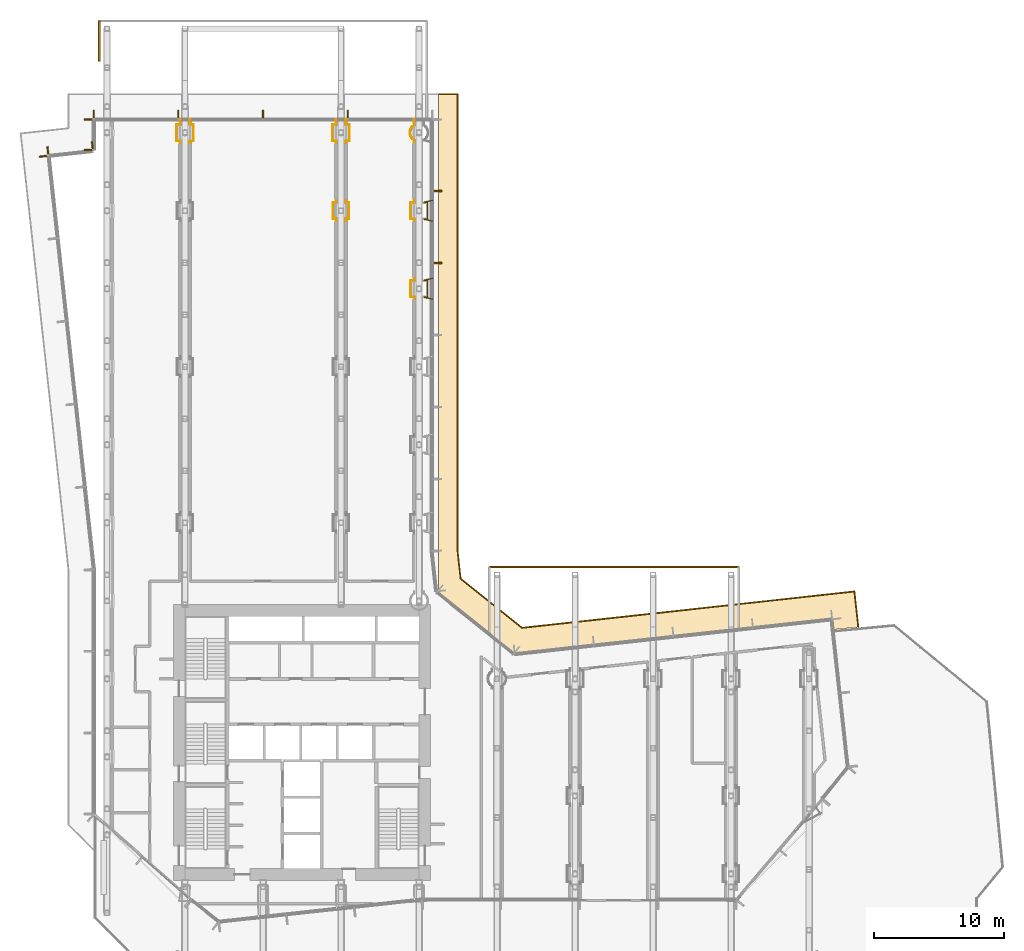
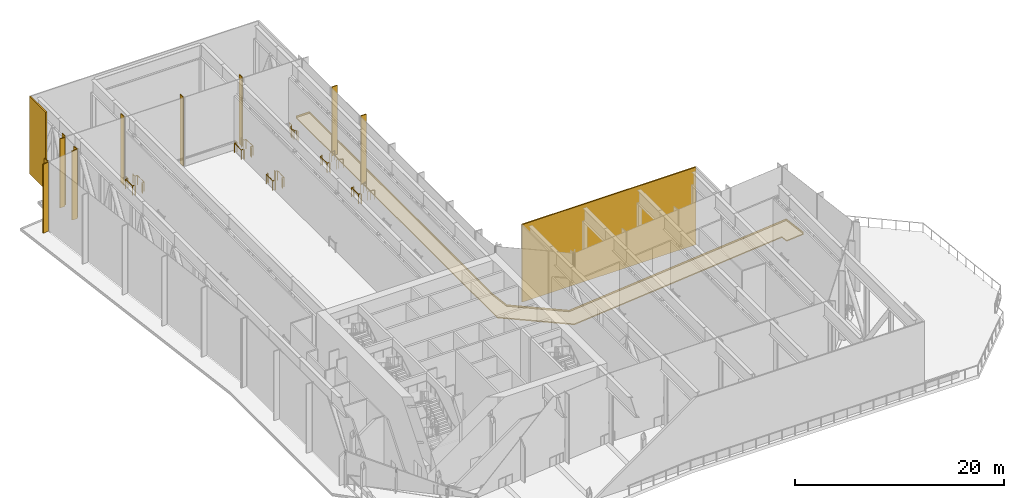
# One storey, part 24 of 25: 15 coverings, 11 railings.
"""IFC4 building model written with IfcOpenShell, lengths in metres."""

from ifc_helpers import new_model, si_unit, direction, frame, origin, origin_2d, place, context, subcontext, project, spatial, polyline, rectangle, circle, outline, extrude, material, layer, layer_set, type_object, element, save


model = new_model("IFC4")

# Units and contexts
model_context = context("Model", 3, precision=1e-05, world=origin(), true_north=direction((0.0, 1.0)))
body_context = subcontext(model_context, "Body", "Model", "MODEL_VIEW")
ifc_project = project(units=[si_unit("LENGTHUNIT", "METRE"), si_unit("AREAUNIT", "SQUARE_METRE"), si_unit("VOLUMEUNIT", "CUBIC_METRE"), si_unit("PLANEANGLEUNIT", "RADIAN"), si_unit("MASSUNIT", "GRAM", prefix="KILO")], contexts=[model_context])

# Site, building, storey
site_placement = place(None, origin())
site = spatial("IfcSite", under=ifc_project, at=site_placement, CompositionType="ELEMENT")
building_placement = place(site_placement, origin())
building = spatial("IfcBuilding", under=site, at=building_placement, Name="Welwitschia Terrace Campus", CompositionType="ELEMENT")
storey_placement = place(building_placement, frame((0.0, 0.0, 79.39990234375)))
storey = spatial("IfcBuildingStorey", under=building, at=storey_placement, Name="L18", CompositionType="ELEMENT", Elevation=79.39990234375)

# Coverings
ifc_material_1 = material(Name="Bronze anodised aluminium", Category="aluminium")
ifc_layer_1 = layer(ifc_material_1, 0.10009765625)
ifc_layer_set_1 = layer_set([ifc_layer_1], Name="Bronze anodised aluminium")
covering_type_1 = type_object("IfcCoveringType", Name="Bronze fin 100x600", PredefinedType="USERDEFINED", material=ifc_layer_set_1)
for number, where, z_axis, x_axis, name in (
    (1, (18.52490234375, 63.429931640625, 0.0), (0.0, 0.0, 1.0), (-1.0, 0.0, 0.0), "Fin L18.0.1"),
    (2, (12.0, 63.429931640625, 0.0), (0.0, 0.0, 1.0), (-1.0, 0.0, 0.0), "Fin L18.0.2"),
    (3, (5.47509765625, 63.429931640625, 0.0), (0.0, 0.0, 1.0), (-1.0, 0.0, 0.0), "Fin L18.0.3"),
    (4, (-1.02001953125, 63.429931640625, 0.0), (0.0, 0.0, 1.0), (-1.0, 0.0, 0.0), "Fin L18.0.4"),
    (5, (-1.429931640625, 63.02001953125, 0.0), (0.0, 0.0, 1.0), (0.0, -1.0, 0.0), "Fin L18.1.0"),
    (6, (-1.429931640625, 60.669677734375, 0.0), (0.0, 0.0, 1.0), (0.0, -1.0, 0.0), "Fin L18.1.1"),
    (7, (-1.12109375, 61.01416015625, 0.0), (0.0, 0.0, 1.0), (-0.994056338222, -0.108866874852, 0.0), "Fin L18.2.0"),
    (8, (-4.551025390625, 60.638671875, 0.0), (0.0, 0.0, 1.0), (-0.994056338222, -0.108866874852, 0.0), "Fin L18.2.1"),
    (9, (-4.913818359375, 60.186279296875, 0.0), (0.0, 0.0, 1.0), (0.108866874852, -0.994056338222, 0.0), "Fin L18.3.0"),
    (10, (25.429931640625, 51.9736328125, 0.0), (0.0, 0.0, 1.0), (0.0, 1.0, 0.0), "Fin L18.15.4"),
    (11, (25.429931640625, 57.51171875, 0.0), (0.0, 0.0, 1.0), (0.0, 1.0, 0.0), "Fin L18.15.5"),
):
    element("IfcCovering", number, at=place(storey_placement, frame(where, z_axis=z_axis, x_axis=x_axis)), inside=storey, type_object=covering_type_1, Name=name, ObjectType="FIN", PredefinedType="USERDEFINED", context=body_context, shape_type="SweptSolid", body=[
        extrude(rectangle(XDim=0.10009765625, YDim=0.60009765625, at=origin_2d()), origin(), (0.0, 0.0, 1.0), 8.050048828125),
    ])

# Railings
ifc_material_2 = material(Name="Stainless steel grade 316", Category="steel")
railing_type = type_object("IfcRailingType", Name="Guard 1100", PredefinedType="GUARDRAIL", material=ifc_material_2)
railing_1_placement = place(storey_placement, frame((23.6201171875, 63.050048828125, 0.0)))
element("IfcRailing", 12, at=railing_1_placement, inside=storey, type_object=railing_type, Name="Guard floor edge L18.20", PredefinedType="GUARDRAIL", context=body_context, shape_type="SweptSolid", body=[
    extrude(circle(Radius=0.02392578125, at=origin_2d()), frame((0.0, 0.0, 1.076171875), z_axis=(0.0, -1.0, 0.0), x_axis=(1.0, 0.0, 0.0)), (0.0, 0.0, 1.0), 0.46826171875),
    extrude(circle(Radius=0.02392578125, at=origin_2d()), frame((0.0, -0.46826171875, 1.076171875), z_axis=(-0.887754531449, -0.460317164455, 0.0), x_axis=(0.460317164455, -0.887754531449, 0.0)), (0.0, 0.0, 1.0), 0.00732421875),
    extrude(circle(Radius=0.02392578125, at=origin_2d()), frame((-0.006591796875, -0.4716796875, 1.076171875), z_axis=(-0.77187853694, -0.635770024625, 0.0), x_axis=(0.635770024625, -0.77187853694, 0.0)), (0.0, 0.0, 1.0), 0.13623046875),
    extrude(circle(Radius=0.02392578125, at=origin_2d()), frame((-0.11181640625, -0.558349609375, 1.076171875), z_axis=(-0.635770024625, -0.77187853694, 0.0), x_axis=(0.77187853694, -0.635770024625, 0.0)), (0.0, 0.0, 1.0), 0.13623046875),
    extrude(circle(Radius=0.02392578125, at=origin_2d()), frame((-0.198486328125, -0.66357421875, 1.076171875), z_axis=(-0.470681121721, -0.882303395469, 0.0), x_axis=(0.882303395469, -0.470681121721, 0.0)), (0.0, 0.0, 1.0), 0.136474609375),
    extrude(circle(Radius=0.02392578125, at=origin_2d()), frame((-0.2626953125, -0.783935546875, 1.076171875), z_axis=(-0.290305798508, -0.956933928415, 0.0), x_axis=(0.956933928415, -0.290305798508, 0.0)), (0.0, 0.0, 1.0), 0.13623046875),
    extrude(circle(Radius=0.02392578125, at=origin_2d()), frame((-0.30224609375, -0.914306640625, 1.076171875), z_axis=(-0.098440399571, -0.995142948391, 0.0), x_axis=(0.995142948391, -0.098440399571, 0.0)), (0.0, 0.0, 1.0), 0.136474609375),
    extrude(circle(Radius=0.02392578125, at=origin_2d()), frame((-0.315673828125, -1.050048828125, 1.076171875), z_axis=(0.098440399571, -0.995142948391, 0.0), x_axis=(0.995142948391, 0.098440399571, 0.0)), (0.0, 0.0, 1.0), 0.136474609375),
    extrude(circle(Radius=0.02392578125, at=origin_2d()), frame((-0.30224609375, -1.185791015625, 1.076171875), z_axis=(0.290305798508, -0.956933928415, 0.0), x_axis=(0.956933928415, 0.290305798508, 0.0)), (0.0, 0.0, 1.0), 0.13623046875),
    extrude(circle(Radius=0.02392578125, at=origin_2d()), frame((-0.2626953125, -1.316162109375, 1.076171875), z_axis=(0.470681121721, -0.882303395469, 0.0), x_axis=(0.882303395469, 0.470681121721, 0.0)), (0.0, 0.0, 1.0), 0.136474609375),
    extrude(circle(Radius=0.02392578125, at=origin_2d()), frame((-0.198486328125, -1.4365234375, 1.076171875), z_axis=(0.635770024625, -0.77187853694, 0.0), x_axis=(0.77187853694, 0.635770024625, 0.0)), (0.0, 0.0, 1.0), 0.13623046875),
    extrude(circle(Radius=0.02392578125, at=origin_2d()), frame((-0.11181640625, -1.541748046875, 1.076171875), z_axis=(0.77187853694, -0.635770024625, 0.0), x_axis=(0.635770024625, 0.77187853694, 0.0)), (0.0, 0.0, 1.0), 0.13623046875),
    extrude(circle(Radius=0.02392578125, at=origin_2d()), frame((-0.006591796875, -1.62841796875, 1.076171875), z_axis=(0.887754531449, -0.460317164455, 0.0), x_axis=(0.460317164455, 0.887754531449, 0.0)), (0.0, 0.0, 1.0), 0.00732421875),
    extrude(circle(Radius=0.02392578125, at=origin_2d()), frame((0.0, -1.6318359375, 1.076171875), z_axis=(0.0, -1.0, 0.0), x_axis=(1.0, 0.0, 0.0)), (0.0, 0.0, 1.0), 0.181396484375),
    extrude(circle(Radius=0.02099609375, at=origin_2d()), origin(), (0.0, 0.0, 1.0), 1.052001953125),
    extrude(circle(Radius=0.02099609375, at=origin_2d()), frame((0.0, -0.46826171875, 0.0)), (0.0, 0.0, 1.0), 1.052001953125),
    extrude(circle(Radius=0.02099609375, at=origin_2d()), frame((-0.006591796875, -0.4716796875, 0.0)), (0.0, 0.0, 1.0), 1.052001953125),
    extrude(circle(Radius=0.02099609375, at=origin_2d()), frame((-0.11181640625, -0.558349609375, 0.0)), (0.0, 0.0, 1.0), 1.052001953125),
    extrude(circle(Radius=0.02099609375, at=origin_2d()), frame((-0.198486328125, -0.66357421875, 0.0)), (0.0, 0.0, 1.0), 1.052001953125),
    extrude(circle(Radius=0.02099609375, at=origin_2d()), frame((-0.2626953125, -0.783935546875, 0.0)), (0.0, 0.0, 1.0), 1.052001953125),
    extrude(circle(Radius=0.02099609375, at=origin_2d()), frame((-0.30224609375, -0.914306640625, 0.0)), (0.0, 0.0, 1.0), 1.052001953125),
    extrude(circle(Radius=0.02099609375, at=origin_2d()), frame((-0.315673828125, -1.050048828125, 0.0)), (0.0, 0.0, 1.0), 1.052001953125),
    extrude(circle(Radius=0.02099609375, at=origin_2d()), frame((-0.30224609375, -1.185791015625, 0.0)), (0.0, 0.0, 1.0), 1.052001953125),
    extrude(circle(Radius=0.02099609375, at=origin_2d()), frame((-0.2626953125, -1.316162109375, 0.0)), (0.0, 0.0, 1.0), 1.052001953125),
    extrude(circle(Radius=0.02099609375, at=origin_2d()), frame((-0.198486328125, -1.4365234375, 0.0)), (0.0, 0.0, 1.0), 1.052001953125),
    extrude(circle(Radius=0.02099609375, at=origin_2d()), frame((-0.11181640625, -1.541748046875, 0.0)), (0.0, 0.0, 1.0), 1.052001953125),
    extrude(circle(Radius=0.02099609375, at=origin_2d()), frame((-0.006591796875, -1.62841796875, 0.0)), (0.0, 0.0, 1.0), 1.052001953125),
    extrude(circle(Radius=0.02099609375, at=origin_2d()), frame((0.0, -1.6318359375, 0.0)), (0.0, 0.0, 1.0), 1.052001953125),
    extrude(circle(Radius=0.02099609375, at=origin_2d()), frame((0.0, -1.813232421875, 0.0)), (0.0, 0.0, 1.0), 1.052001953125),
])
railing_2_placement = place(storey_placement, frame((23.6201171875, 50.804931640625, 0.0)))
element("IfcRailing", 13, at=railing_2_placement, inside=storey, type_object=railing_type, Name="Guard floor edge L18.28", PredefinedType="GUARDRAIL", context=body_context, shape_type="SweptSolid", body=[
    extrude(circle(Radius=0.02392578125, at=origin_2d()), frame((0.0, 0.0, 1.076171875), z_axis=(0.0, -1.0, 0.0), x_axis=(1.0, 0.0, 0.0)), (0.0, 0.0, 1.0), 0.159912109375),
    extrude(circle(Radius=0.02392578125, at=origin_2d()), frame((0.0, -0.159912109375, 1.076171875), z_axis=(-1.0, 0.0, 0.0), x_axis=(0.0, -1.0, 0.0)), (0.0, 0.0, 1.0), 0.26513671875),
    extrude(circle(Radius=0.02392578125, at=origin_2d()), frame((-0.26513671875, -0.159912109375, 1.076171875), z_axis=(0.0, -1.0, 0.0), x_axis=(1.0, 0.0, 0.0)), (0.0, 0.0, 1.0), 1.2900390625),
    extrude(circle(Radius=0.02392578125, at=origin_2d()), frame((-0.26513671875, -1.449951171875, 1.076171875), z_axis=(1.0, 0.0, 0.0), x_axis=(0.0, 1.0, 0.0)), (0.0, 0.0, 1.0), 0.26513671875),
    extrude(circle(Radius=0.02392578125, at=origin_2d()), frame((0.0, -1.449951171875, 1.076171875), z_axis=(0.0, -1.0, 0.0), x_axis=(1.0, 0.0, 0.0)), (0.0, 0.0, 1.0), 0.159912109375),
    extrude(circle(Radius=0.02099609375, at=origin_2d()), origin(), (0.0, 0.0, 1.0), 1.052001953125),
    extrude(circle(Radius=0.02099609375, at=origin_2d()), frame((0.0, -0.159912109375, 0.0)), (0.0, 0.0, 1.0), 1.052001953125),
    extrude(circle(Radius=0.02099609375, at=origin_2d()), frame((-0.26513671875, -0.159912109375, 0.0)), (0.0, 0.0, 1.0), 1.052001953125),
    extrude(circle(Radius=0.02099609375, at=origin_2d()), frame((-0.26513671875, -1.449951171875, 0.0)), (0.0, 0.0, 1.0), 1.052001953125),
    extrude(circle(Radius=0.02099609375, at=origin_2d()), frame((0.0, -1.449951171875, 0.0)), (0.0, 0.0, 1.0), 1.052001953125),
    extrude(circle(Radius=0.02099609375, at=origin_2d()), frame((0.0, -1.60986328125, 0.0)), (0.0, 0.0, 1.0), 1.052001953125),
])
railing_3_placement = place(storey_placement, frame((25.050048828125, 49.195068359375, 0.0)))
element("IfcRailing", 14, at=railing_3_placement, inside=storey, type_object=railing_type, Name="Guard floor edge L18.29", PredefinedType="GUARDRAIL", context=body_context, shape_type="SweptSolid", body=[
    extrude(circle(Radius=0.02392578125, at=origin_2d()), frame((0.0, 0.0, 1.076171875), z_axis=(-0.97269203542, 0.232099556721, 0.0), x_axis=(-0.232099556721, -0.97269203542, 0.0)), (0.0, 0.0, 1.0), 0.68896484375),
    extrude(circle(Radius=0.02392578125, at=origin_2d()), frame((-0.670166015625, 0.159912109375, 1.076171875), z_axis=(1.0, 0.0, 0.0), x_axis=(0.0, 1.0, 0.0)), (0.0, 0.0, 1.0), 0.26513671875),
    extrude(circle(Radius=0.02392578125, at=origin_2d()), frame((-0.405029296875, 0.159912109375, 1.076171875), z_axis=(0.0, 1.0, 0.0), x_axis=(-1.0, 0.0, 0.0)), (0.0, 0.0, 1.0), 1.2900390625),
    extrude(circle(Radius=0.02392578125, at=origin_2d()), frame((-0.405029296875, 1.449951171875, 1.076171875), z_axis=(-1.0, 0.0, 0.0), x_axis=(0.0, -1.0, 0.0)), (0.0, 0.0, 1.0), 0.26513671875),
    extrude(circle(Radius=0.02392578125, at=origin_2d()), frame((-0.670166015625, 1.449951171875, 1.076171875), z_axis=(0.97269203542, 0.232099556721, 0.0), x_axis=(-0.232099556721, 0.97269203542, 0.0)), (0.0, 0.0, 1.0), 0.68896484375),
    extrude(circle(Radius=0.02099609375, at=origin_2d()), origin(), (0.0, 0.0, 1.0), 1.052001953125),
    extrude(circle(Radius=0.02099609375, at=origin_2d()), frame((-0.670166015625, 0.159912109375, 0.0)), (0.0, 0.0, 1.0), 1.052001953125),
    extrude(circle(Radius=0.02099609375, at=origin_2d()), frame((-0.405029296875, 0.159912109375, 0.0)), (0.0, 0.0, 1.0), 1.052001953125),
    extrude(circle(Radius=0.02099609375, at=origin_2d()), frame((-0.405029296875, 1.449951171875, 0.0)), (0.0, 0.0, 1.0), 1.052001953125),
    extrude(circle(Radius=0.02099609375, at=origin_2d()), frame((-0.670166015625, 1.449951171875, 0.0)), (0.0, 0.0, 1.0), 1.052001953125),
    extrude(circle(Radius=0.02099609375, at=origin_2d()), frame((0.0, 1.60986328125, 0.0)), (0.0, 0.0, 1.0), 1.052001953125),
])
railing_4_placement = place(storey_placement, frame((23.6201171875, 56.804931640625, 0.0)))
element("IfcRailing", 15, at=railing_4_placement, inside=storey, type_object=railing_type, Name="Guard floor edge L18.30", PredefinedType="GUARDRAIL", context=body_context, shape_type="SweptSolid", body=[
    extrude(circle(Radius=0.02392578125, at=origin_2d()), frame((0.0, 0.0, 1.076171875), z_axis=(0.0, -1.0, 0.0), x_axis=(1.0, 0.0, 0.0)), (0.0, 0.0, 1.0), 0.159912109375),
    extrude(circle(Radius=0.02392578125, at=origin_2d()), frame((0.0, -0.159912109375, 1.076171875), z_axis=(-1.0, 0.0, 0.0), x_axis=(0.0, -1.0, 0.0)), (0.0, 0.0, 1.0), 0.26513671875),
    extrude(circle(Radius=0.02392578125, at=origin_2d()), frame((-0.26513671875, -0.159912109375, 1.076171875), z_axis=(0.0, -1.0, 0.0), x_axis=(1.0, 0.0, 0.0)), (0.0, 0.0, 1.0), 1.2900390625),
    extrude(circle(Radius=0.02392578125, at=origin_2d()), frame((-0.26513671875, -1.449951171875, 1.076171875), z_axis=(1.0, 0.0, 0.0), x_axis=(0.0, 1.0, 0.0)), (0.0, 0.0, 1.0), 0.26513671875),
    extrude(circle(Radius=0.02392578125, at=origin_2d()), frame((0.0, -1.449951171875, 1.076171875), z_axis=(0.0, -1.0, 0.0), x_axis=(1.0, 0.0, 0.0)), (0.0, 0.0, 1.0), 0.159912109375),
    extrude(circle(Radius=0.02099609375, at=origin_2d()), origin(), (0.0, 0.0, 1.0), 1.052001953125),
    extrude(circle(Radius=0.02099609375, at=origin_2d()), frame((0.0, -0.159912109375, 0.0)), (0.0, 0.0, 1.0), 1.052001953125),
    extrude(circle(Radius=0.02099609375, at=origin_2d()), frame((-0.26513671875, -0.159912109375, 0.0)), (0.0, 0.0, 1.0), 1.052001953125),
    extrude(circle(Radius=0.02099609375, at=origin_2d()), frame((-0.26513671875, -1.449951171875, 0.0)), (0.0, 0.0, 1.0), 1.052001953125),
    extrude(circle(Radius=0.02099609375, at=origin_2d()), frame((0.0, -1.449951171875, 0.0)), (0.0, 0.0, 1.0), 1.052001953125),
    extrude(circle(Radius=0.02099609375, at=origin_2d()), frame((0.0, -1.60986328125, 0.0)), (0.0, 0.0, 1.0), 1.052001953125),
])
railing_5_placement = place(storey_placement, frame((25.050048828125, 55.195068359375, 0.0)))
element("IfcRailing", 16, at=railing_5_placement, inside=storey, type_object=railing_type, Name="Guard floor edge L18.31", PredefinedType="GUARDRAIL", context=body_context, shape_type="SweptSolid", body=[
    extrude(circle(Radius=0.02392578125, at=origin_2d()), frame((0.0, 0.0, 1.076171875), z_axis=(-0.97269203542, 0.232099556721, 0.0), x_axis=(-0.232099556721, -0.97269203542, 0.0)), (0.0, 0.0, 1.0), 0.68896484375),
    extrude(circle(Radius=0.02392578125, at=origin_2d()), frame((-0.670166015625, 0.159912109375, 1.076171875), z_axis=(1.0, 0.0, 0.0), x_axis=(0.0, 1.0, 0.0)), (0.0, 0.0, 1.0), 0.26513671875),
    extrude(circle(Radius=0.02392578125, at=origin_2d()), frame((-0.405029296875, 0.159912109375, 1.076171875), z_axis=(0.0, 1.0, 0.0), x_axis=(-1.0, 0.0, 0.0)), (0.0, 0.0, 1.0), 1.2900390625),
    extrude(circle(Radius=0.02392578125, at=origin_2d()), frame((-0.405029296875, 1.449951171875, 1.076171875), z_axis=(-1.0, 0.0, 0.0), x_axis=(0.0, -1.0, 0.0)), (0.0, 0.0, 1.0), 0.26513671875),
    extrude(circle(Radius=0.02392578125, at=origin_2d()), frame((-0.670166015625, 1.449951171875, 1.076171875), z_axis=(0.97269203542, 0.232099556721, 0.0), x_axis=(-0.232099556721, 0.97269203542, 0.0)), (0.0, 0.0, 1.0), 0.68896484375),
    extrude(circle(Radius=0.02099609375, at=origin_2d()), origin(), (0.0, 0.0, 1.0), 1.052001953125),
    extrude(circle(Radius=0.02099609375, at=origin_2d()), frame((-0.670166015625, 0.159912109375, 0.0)), (0.0, 0.0, 1.0), 1.052001953125),
    extrude(circle(Radius=0.02099609375, at=origin_2d()), frame((-0.405029296875, 0.159912109375, 0.0)), (0.0, 0.0, 1.0), 1.052001953125),
    extrude(circle(Radius=0.02099609375, at=origin_2d()), frame((-0.405029296875, 1.449951171875, 0.0)), (0.0, 0.0, 1.0), 1.052001953125),
    extrude(circle(Radius=0.02099609375, at=origin_2d()), frame((-0.670166015625, 1.449951171875, 0.0)), (0.0, 0.0, 1.0), 1.052001953125),
    extrude(circle(Radius=0.02099609375, at=origin_2d()), frame((0.0, 1.60986328125, 0.0)), (0.0, 0.0, 1.0), 1.052001953125),
])
railing_6_placement = place(storey_placement, frame((17.6201171875, 63.050048828125, 0.0)))
element("IfcRailing", 17, at=railing_6_placement, inside=storey, type_object=railing_type, Name="Guard floor edge L18.33", PredefinedType="GUARDRAIL", context=body_context, shape_type="SweptSolid", body=[
    extrude(circle(Radius=0.02392578125, at=origin_2d()), frame((0.0, 0.0, 1.076171875), z_axis=(0.0, -1.0, 0.0), x_axis=(1.0, 0.0, 0.0)), (0.0, 0.0, 1.0), 0.405029296875),
    extrude(circle(Radius=0.02392578125, at=origin_2d()), frame((0.0, -0.405029296875, 1.076171875), z_axis=(-1.0, 0.0, 0.0), x_axis=(0.0, -1.0, 0.0)), (0.0, 0.0, 1.0), 0.26513671875),
    extrude(circle(Radius=0.02392578125, at=origin_2d()), frame((-0.26513671875, -0.405029296875, 1.076171875), z_axis=(0.0, -1.0, 0.0), x_axis=(1.0, 0.0, 0.0)), (0.0, 0.0, 1.0), 1.2900390625),
    extrude(circle(Radius=0.02392578125, at=origin_2d()), frame((-0.26513671875, -1.695068359375, 1.076171875), z_axis=(1.0, 0.0, 0.0), x_axis=(0.0, 1.0, 0.0)), (0.0, 0.0, 1.0), 0.26513671875),
    extrude(circle(Radius=0.02392578125, at=origin_2d()), frame((0.0, -1.695068359375, 1.076171875), z_axis=(0.0, -1.0, 0.0), x_axis=(1.0, 0.0, 0.0)), (0.0, 0.0, 1.0), 0.159912109375),
    extrude(circle(Radius=0.02099609375, at=origin_2d()), origin(), (0.0, 0.0, 1.0), 1.052001953125),
    extrude(circle(Radius=0.02099609375, at=origin_2d()), frame((0.0, -0.405029296875, 0.0)), (0.0, 0.0, 1.0), 1.052001953125),
    extrude(circle(Radius=0.02099609375, at=origin_2d()), frame((-0.26513671875, -0.405029296875, 0.0)), (0.0, 0.0, 1.0), 1.052001953125),
    extrude(circle(Radius=0.02099609375, at=origin_2d()), frame((-0.26513671875, -1.695068359375, 0.0)), (0.0, 0.0, 1.0), 1.052001953125),
    extrude(circle(Radius=0.02099609375, at=origin_2d()), frame((0.0, -1.695068359375, 0.0)), (0.0, 0.0, 1.0), 1.052001953125),
    extrude(circle(Radius=0.02099609375, at=origin_2d()), frame((0.0, -1.85498046875, 0.0)), (0.0, 0.0, 1.0), 1.052001953125),
])
railing_7_placement = place(storey_placement, frame((18.3798828125, 61.195068359375, 0.0)))
element("IfcRailing", 18, at=railing_7_placement, inside=storey, type_object=railing_type, Name="Guard floor edge L18.34", PredefinedType="GUARDRAIL", context=body_context, shape_type="SweptSolid", body=[
    extrude(circle(Radius=0.02392578125, at=origin_2d()), frame((0.0, 0.0, 1.076171875), z_axis=(0.0, 1.0, 0.0), x_axis=(-1.0, 0.0, 0.0)), (0.0, 0.0, 1.0), 0.159912109375),
    extrude(circle(Radius=0.02392578125, at=origin_2d()), frame((0.0, 0.159912109375, 1.076171875), z_axis=(1.0, 0.0, 0.0), x_axis=(0.0, 1.0, 0.0)), (0.0, 0.0, 1.0), 0.26513671875),
    extrude(circle(Radius=0.02392578125, at=origin_2d()), frame((0.26513671875, 0.159912109375, 1.076171875), z_axis=(0.0, 1.0, 0.0), x_axis=(-1.0, 0.0, 0.0)), (0.0, 0.0, 1.0), 1.2900390625),
    extrude(circle(Radius=0.02392578125, at=origin_2d()), frame((0.26513671875, 1.449951171875, 1.076171875), z_axis=(-1.0, 0.0, 0.0), x_axis=(0.0, -1.0, 0.0)), (0.0, 0.0, 1.0), 0.26513671875),
    extrude(circle(Radius=0.02392578125, at=origin_2d()), frame((0.0, 1.449951171875, 1.076171875), z_axis=(0.0, 1.0, 0.0), x_axis=(-1.0, 0.0, 0.0)), (0.0, 0.0, 1.0), 0.405029296875),
    extrude(circle(Radius=0.02099609375, at=origin_2d()), origin(), (0.0, 0.0, 1.0), 1.052001953125),
    extrude(circle(Radius=0.02099609375, at=origin_2d()), frame((0.0, 0.159912109375, 0.0)), (0.0, 0.0, 1.0), 1.052001953125),
    extrude(circle(Radius=0.02099609375, at=origin_2d()), frame((0.26513671875, 0.159912109375, 0.0)), (0.0, 0.0, 1.0), 1.052001953125),
    extrude(circle(Radius=0.02099609375, at=origin_2d()), frame((0.26513671875, 1.449951171875, 0.0)), (0.0, 0.0, 1.0), 1.052001953125),
    extrude(circle(Radius=0.02099609375, at=origin_2d()), frame((0.0, 1.449951171875, 0.0)), (0.0, 0.0, 1.0), 1.052001953125),
    extrude(circle(Radius=0.02099609375, at=origin_2d()), frame((0.0, 1.85498046875, 0.0)), (0.0, 0.0, 1.0), 1.052001953125),
])
railing_8_placement = place(storey_placement, frame((17.6201171875, 56.780029296875, 0.0)))
element("IfcRailing", 19, at=railing_8_placement, inside=storey, type_object=railing_type, Name="Guard floor edge L18.39", PredefinedType="GUARDRAIL", context=body_context, shape_type="SweptSolid", body=[
    extrude(circle(Radius=0.02392578125, at=origin_2d()), frame((0.0, 0.0, 1.076171875), z_axis=(0.0, -1.0, 0.0), x_axis=(1.0, 0.0, 0.0)), (0.0, 0.0, 1.0), 0.159912109375),
    extrude(circle(Radius=0.02392578125, at=origin_2d()), frame((0.0, -0.159912109375, 1.076171875), z_axis=(-1.0, 0.0, 0.0), x_axis=(0.0, -1.0, 0.0)), (0.0, 0.0, 1.0), 0.240234375),
    extrude(circle(Radius=0.02392578125, at=origin_2d()), frame((-0.240234375, -0.159912109375, 1.076171875), z_axis=(0.0, -1.0, 0.0), x_axis=(1.0, 0.0, 0.0)), (0.0, 0.0, 1.0), 1.240234375),
    extrude(circle(Radius=0.02392578125, at=origin_2d()), frame((-0.240234375, -1.400146484375, 1.076171875), z_axis=(1.0, 0.0, 0.0), x_axis=(0.0, 1.0, 0.0)), (0.0, 0.0, 1.0), 0.240234375),
    extrude(circle(Radius=0.02392578125, at=origin_2d()), frame((0.0, -1.400146484375, 1.076171875), z_axis=(0.0, -1.0, 0.0), x_axis=(1.0, 0.0, 0.0)), (0.0, 0.0, 1.0), 0.159912109375),
    extrude(circle(Radius=0.02099609375, at=origin_2d()), origin(), (0.0, 0.0, 1.0), 1.052001953125),
    extrude(circle(Radius=0.02099609375, at=origin_2d()), frame((0.0, -0.159912109375, 0.0)), (0.0, 0.0, 1.0), 1.052001953125),
    extrude(circle(Radius=0.02099609375, at=origin_2d()), frame((-0.240234375, -0.159912109375, 0.0)), (0.0, 0.0, 1.0), 1.052001953125),
    extrude(circle(Radius=0.02099609375, at=origin_2d()), frame((-0.240234375, -1.400146484375, 0.0)), (0.0, 0.0, 1.0), 1.052001953125),
    extrude(circle(Radius=0.02099609375, at=origin_2d()), frame((0.0, -1.400146484375, 0.0)), (0.0, 0.0, 1.0), 1.052001953125),
    extrude(circle(Radius=0.02099609375, at=origin_2d()), frame((0.0, -1.56005859375, 0.0)), (0.0, 0.0, 1.0), 1.052001953125),
])
railing_9_placement = place(storey_placement, frame((18.3798828125, 55.219970703125, 0.0)))
element("IfcRailing", 20, at=railing_9_placement, inside=storey, type_object=railing_type, Name="Guard floor edge L18.40", PredefinedType="GUARDRAIL", context=body_context, shape_type="SweptSolid", body=[
    extrude(circle(Radius=0.02392578125, at=origin_2d()), frame((0.0, 0.0, 1.076171875), z_axis=(0.0, 1.0, 0.0), x_axis=(-1.0, 0.0, 0.0)), (0.0, 0.0, 1.0), 0.159912109375),
    extrude(circle(Radius=0.02392578125, at=origin_2d()), frame((0.0, 0.159912109375, 1.076171875), z_axis=(1.0, 0.0, 0.0), x_axis=(0.0, 1.0, 0.0)), (0.0, 0.0, 1.0), 0.240234375),
    extrude(circle(Radius=0.02392578125, at=origin_2d()), frame((0.240234375, 0.159912109375, 1.076171875), z_axis=(0.0, 1.0, 0.0), x_axis=(-1.0, 0.0, 0.0)), (0.0, 0.0, 1.0), 1.240234375),
    extrude(circle(Radius=0.02392578125, at=origin_2d()), frame((0.240234375, 1.400146484375, 1.076171875), z_axis=(-1.0, 0.0, 0.0), x_axis=(0.0, -1.0, 0.0)), (0.0, 0.0, 1.0), 0.240234375),
    extrude(circle(Radius=0.02392578125, at=origin_2d()), frame((0.0, 1.400146484375, 1.076171875), z_axis=(0.0, 1.0, 0.0), x_axis=(-1.0, 0.0, 0.0)), (0.0, 0.0, 1.0), 0.159912109375),
    extrude(circle(Radius=0.02099609375, at=origin_2d()), origin(), (0.0, 0.0, 1.0), 1.052001953125),
    extrude(circle(Radius=0.02099609375, at=origin_2d()), frame((0.0, 0.159912109375, 0.0)), (0.0, 0.0, 1.0), 1.052001953125),
    extrude(circle(Radius=0.02099609375, at=origin_2d()), frame((0.240234375, 0.159912109375, 0.0)), (0.0, 0.0, 1.0), 1.052001953125),
    extrude(circle(Radius=0.02099609375, at=origin_2d()), frame((0.240234375, 1.400146484375, 0.0)), (0.0, 0.0, 1.0), 1.052001953125),
    extrude(circle(Radius=0.02099609375, at=origin_2d()), frame((0.0, 1.400146484375, 0.0)), (0.0, 0.0, 1.0), 1.052001953125),
    extrude(circle(Radius=0.02099609375, at=origin_2d()), frame((0.0, 1.56005859375, 0.0)), (0.0, 0.0, 1.0), 1.052001953125),
])
railing_10_placement = place(storey_placement, frame((5.6201171875, 63.050048828125, 0.0)))
element("IfcRailing", 21, at=railing_10_placement, inside=storey, type_object=railing_type, Name="Guard floor edge L18.43", PredefinedType="GUARDRAIL", context=body_context, shape_type="SweptSolid", body=[
    extrude(circle(Radius=0.02392578125, at=origin_2d()), frame((0.0, 0.0, 1.076171875), z_axis=(0.0, -1.0, 0.0), x_axis=(1.0, 0.0, 0.0)), (0.0, 0.0, 1.0), 0.405029296875),
    extrude(circle(Radius=0.02392578125, at=origin_2d()), frame((0.0, -0.405029296875, 1.076171875), z_axis=(-1.0, 0.0, 0.0), x_axis=(0.0, -1.0, 0.0)), (0.0, 0.0, 1.0), 0.26513671875),
    extrude(circle(Radius=0.02392578125, at=origin_2d()), frame((-0.26513671875, -0.405029296875, 1.076171875), z_axis=(0.0, -1.0, 0.0), x_axis=(1.0, 0.0, 0.0)), (0.0, 0.0, 1.0), 1.2900390625),
    extrude(circle(Radius=0.02392578125, at=origin_2d()), frame((-0.26513671875, -1.695068359375, 1.076171875), z_axis=(1.0, 0.0, 0.0), x_axis=(0.0, 1.0, 0.0)), (0.0, 0.0, 1.0), 0.26513671875),
    extrude(circle(Radius=0.02392578125, at=origin_2d()), frame((0.0, -1.695068359375, 1.076171875), z_axis=(0.0, -1.0, 0.0), x_axis=(1.0, 0.0, 0.0)), (0.0, 0.0, 1.0), 0.159912109375),
    extrude(circle(Radius=0.02099609375, at=origin_2d()), origin(), (0.0, 0.0, 1.0), 1.052001953125),
    extrude(circle(Radius=0.02099609375, at=origin_2d()), frame((0.0, -0.405029296875, 0.0)), (0.0, 0.0, 1.0), 1.052001953125),
    extrude(circle(Radius=0.02099609375, at=origin_2d()), frame((-0.26513671875, -0.405029296875, 0.0)), (0.0, 0.0, 1.0), 1.052001953125),
    extrude(circle(Radius=0.02099609375, at=origin_2d()), frame((-0.26513671875, -1.695068359375, 0.0)), (0.0, 0.0, 1.0), 1.052001953125),
    extrude(circle(Radius=0.02099609375, at=origin_2d()), frame((0.0, -1.695068359375, 0.0)), (0.0, 0.0, 1.0), 1.052001953125),
    extrude(circle(Radius=0.02099609375, at=origin_2d()), frame((0.0, -1.85498046875, 0.0)), (0.0, 0.0, 1.0), 1.052001953125),
])
railing_11_placement = place(storey_placement, frame((6.3798828125, 61.195068359375, 0.0)))
element("IfcRailing", 22, at=railing_11_placement, inside=storey, type_object=railing_type, Name="Guard floor edge L18.44", PredefinedType="GUARDRAIL", context=body_context, shape_type="SweptSolid", body=[
    extrude(circle(Radius=0.02392578125, at=origin_2d()), frame((0.0, 0.0, 1.076171875), z_axis=(0.0, 1.0, 0.0), x_axis=(-1.0, 0.0, 0.0)), (0.0, 0.0, 1.0), 0.159912109375),
    extrude(circle(Radius=0.02392578125, at=origin_2d()), frame((0.0, 0.159912109375, 1.076171875), z_axis=(1.0, 0.0, 0.0), x_axis=(0.0, 1.0, 0.0)), (0.0, 0.0, 1.0), 0.26513671875),
    extrude(circle(Radius=0.02392578125, at=origin_2d()), frame((0.26513671875, 0.159912109375, 1.076171875), z_axis=(0.0, 1.0, 0.0), x_axis=(-1.0, 0.0, 0.0)), (0.0, 0.0, 1.0), 1.2900390625),
    extrude(circle(Radius=0.02392578125, at=origin_2d()), frame((0.26513671875, 1.449951171875, 1.076171875), z_axis=(-1.0, 0.0, 0.0), x_axis=(0.0, -1.0, 0.0)), (0.0, 0.0, 1.0), 0.26513671875),
    extrude(circle(Radius=0.02392578125, at=origin_2d()), frame((0.0, 1.449951171875, 1.076171875), z_axis=(0.0, 1.0, 0.0), x_axis=(-1.0, 0.0, 0.0)), (0.0, 0.0, 1.0), 0.405029296875),
    extrude(circle(Radius=0.02099609375, at=origin_2d()), origin(), (0.0, 0.0, 1.0), 1.052001953125),
    extrude(circle(Radius=0.02099609375, at=origin_2d()), frame((0.0, 0.159912109375, 0.0)), (0.0, 0.0, 1.0), 1.052001953125),
    extrude(circle(Radius=0.02099609375, at=origin_2d()), frame((0.26513671875, 0.159912109375, 0.0)), (0.0, 0.0, 1.0), 1.052001953125),
    extrude(circle(Radius=0.02099609375, at=origin_2d()), frame((0.26513671875, 1.449951171875, 0.0)), (0.0, 0.0, 1.0), 1.052001953125),
    extrude(circle(Radius=0.02099609375, at=origin_2d()), frame((0.0, 1.449951171875, 0.0)), (0.0, 0.0, 1.0), 1.052001953125),
    extrude(circle(Radius=0.02099609375, at=origin_2d()), frame((0.0, 1.85498046875, 0.0)), (0.0, 0.0, 1.0), 1.052001953125),
])

# Coverings
ifc_material_3 = material(Name="Bronze anodised aluminium", Category="aluminium")
ifc_layer_2 = layer(ifc_material_3, 0.139892578125)
ifc_layer_set_2 = layer_set([ifc_layer_2], Name="Bronze anodised aluminium")
covering_type_2 = type_object("IfcCoveringType", Name="Soffit fascia cladding 140", PredefinedType="CLADDING", material=ifc_layer_set_2)
covering_1_placement = place(storey_placement, frame((0.0, 0.0, -1.0)))
element("IfcCovering", 23, at=covering_1_placement, inside=storey, type_object=covering_type_2, Name="Clad fascia L18.tip fascia Nt0 w", PredefinedType="CLADDING", context=body_context, shape_type="SweptSolid", body=[
    extrude(outline(polyline([(-0.669921875, 70.60009765625), (-0.669921875, 67.5), (-0.530029296875, 67.5), (-0.530029296875, 70.60009765625), (-0.669921875, 70.60009765625)])), origin(), (0.0, 0.0, 1.0), 9.050048828125),
])
covering_2_placement = place(storey_placement, frame((0.0, 0.0, -1.0)))
element("IfcCovering", 24, at=covering_2_placement, inside=storey, type_object=covering_type_2, Name="Clad fascia L18.tip fascia Nt1 end", PredefinedType="CLADDING", context=body_context, shape_type="SweptSolid", body=[
    extrude(outline(polyline([(48.60009765625, 28.669921875), (29.39990234375, 28.669921875), (29.39990234375, 28.530029296875), (48.60009765625, 28.530029296875), (48.60009765625, 28.669921875)])), origin(), (0.0, 0.0, 1.0), 9.050048828125),
])
ifc_material_4 = material(Name="Bronze anodised aluminium", Category="aluminium")
ifc_layer_3 = layer(ifc_material_4, 0.1201171875)
ifc_layer_set_3 = layer_set([ifc_layer_3], Name="Bronze anodised aluminium")
covering_type_3 = type_object("IfcCoveringType", Name="Sunshade band 2000", PredefinedType="USERDEFINED", material=ifc_layer_set_3)
covering_3_placement = place(storey_placement, frame((0.0, 0.0, -0.2998046875)))
element("IfcCovering", 25, at=covering_3_placement, inside=storey, type_object=covering_type_3, Name="SUNSHADE L18.SE0", ObjectType="SUNSHADE", PredefinedType="USERDEFINED", context=body_context, shape_type="SweptSolid", body=[
    extrude(outline(polyline([(31.92138671875, 23.961181640625), (57.525634765625, 26.765380859375), (57.8310546875, 23.977783203125), (55.840087890625, 23.7861328125), (55.75537109375, 24.5595703125), (31.315673828125, 21.8828125), (25.515625, 26.537841796875), (25.515625, 65.0), (27.0, 65.0), (27.0, 29.927490234375), (27.2421875, 27.716796875), (31.92138671875, 23.961181640625)])), origin(), (0.0, 0.0, 1.0), 0.119873046875),
])
ifc_material_5 = material(Name="Bronze anodised aluminium", Category="aluminium")
ifc_layer_4 = layer(ifc_material_5, 0.06005859375)
ifc_layer_set_4 = layer_set([ifc_layer_4], Name="Bronze anodised aluminium")
covering_type_4 = type_object("IfcCoveringType", Name="Sunshade lip 60", PredefinedType="USERDEFINED", material=ifc_layer_set_4)
covering_4_placement = place(storey_placement, frame((0.0, 0.0, -0.179931640625)))
element("IfcCovering", 26, at=covering_4_placement, inside=storey, type_object=covering_type_4, Name="SUNSHADE LIP L18.SE0.0", ObjectType="SUNSHADE", PredefinedType="USERDEFINED", context=body_context, shape_type="SweptSolid", body=[
    extrude(outline(polyline([(57.525634765625, 26.765380859375), (57.8310546875, 23.977783203125), (57.771240234375, 23.97216796875), (57.47265625, 26.69921875), (31.9033203125, 23.89892578125), (27.185302734375, 27.685546875), (26.93994140625, 29.92431640625), (26.93994140625, 64.93994140625), (25.515625, 64.93994140625), (25.515625, 65.0), (27.0, 65.0), (27.0, 29.927490234375), (27.2421875, 27.716796875), (31.92138671875, 23.961181640625), (57.525634765625, 26.765380859375)])), origin(), (0.0, 0.0, 1.0), 0.179931640625),
])

save(model, "model.ifc")
